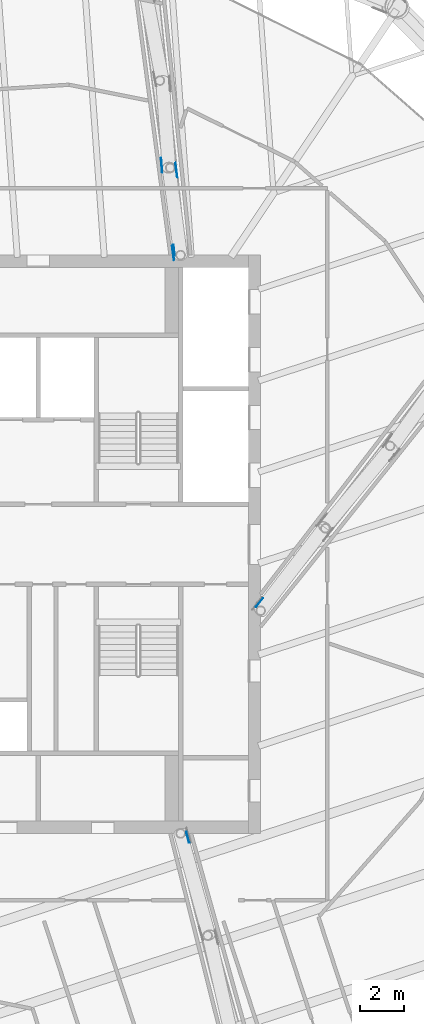
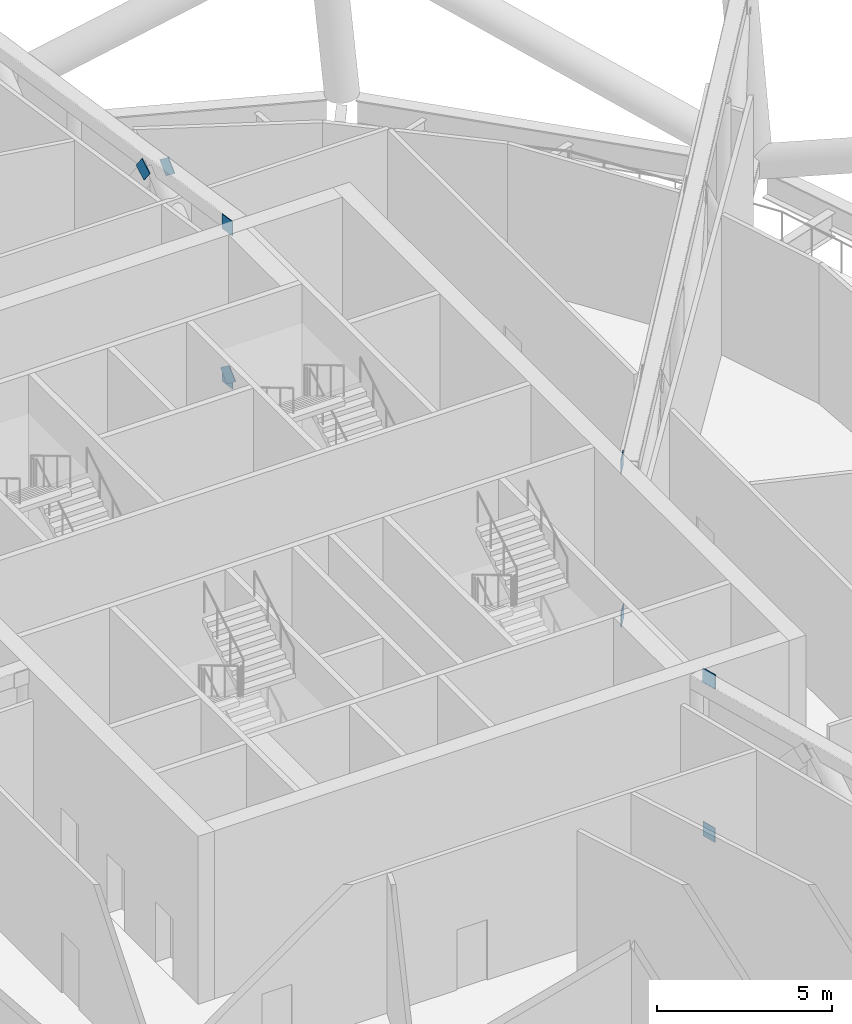
# One storey, part 20 of 33: 9 discrete accessories.
"""IFC4 building model written with IfcOpenShell, lengths in metres."""

from ifc_helpers import new_model, si_unit, direction, frame, origin, origin_2d, place, context, subcontext, project, spatial, rectangle, extrude, material, material_profile, profile_set, type_object, element, save


model = new_model("IFC4")

# Units and contexts
model_context = context("Model", 3, precision=1e-05, world=origin(), true_north=direction((0.0, 1.0)))
body_context = subcontext(model_context, "Body", "Model", "MODEL_VIEW")
ifc_project = project(units=[si_unit("LENGTHUNIT", "METRE"), si_unit("AREAUNIT", "SQUARE_METRE"), si_unit("VOLUMEUNIT", "CUBIC_METRE"), si_unit("PLANEANGLEUNIT", "RADIAN"), si_unit("MASSUNIT", "GRAM", prefix="KILO")], contexts=[model_context])

# Site, building, storey
site_placement = place(None, origin())
site = spatial("IfcSite", under=ifc_project, at=site_placement, CompositionType="ELEMENT")
building_placement = place(site_placement, origin())
building = spatial("IfcBuilding", under=site, at=building_placement, Name="Tarsis Ring Headquarters", CompositionType="ELEMENT")
storey_placement = place(building_placement, frame((0.0, 0.0, 302.0)))
storey = spatial("IfcBuildingStorey", under=building, at=storey_placement, Name="L71", CompositionType="ELEMENT", Elevation=302.0)

# Discrete accessories
ifc_material = material(Name="Structural steel S355", Category="steel")
ifc_material_profile = material_profile(ifc_material, rectangle(XDim=0.02490234375, YDim=0.5, at=origin_2d()), Name="PL 25x500")
ifc_profile_set = profile_set([ifc_material_profile], Name="Structural steel S355")
discrete_accessory_type_1 = type_object("IfcDiscreteAccessoryType", Name="Gusset plate Outrigger 25", PredefinedType="BRACKET", material=ifc_profile_set)
for number, where, z_axis, x_axis, name in (
    (1, (6.08544921875, 12.958251953125, 0.25390625), (-0.078605091897, 0.591246995573, 0.802650752042), (-0.991277872682, -0.131788387698, 0.0), "Gusset plate GP1"),
    (2, (6.191650390625, 16.9736328125, 5.5859375), (0.078613187536, -0.591796169524, -0.8022451374), (0.991292072318, 0.131681537659, 0.0), "Gusset plate GP1"),
    (3, (5.560546875, 16.907958984375, 5.5859375), (-0.04394662747, 0.58937310396, -0.806664762006), (-0.997231566527, -0.074358608937, 0.0), "Gusset plate GP1"),
):
    element("IfcDiscreteAccessory", number, at=place(storey_placement, frame(where, z_axis=z_axis, x_axis=x_axis)), inside=storey, type_object=discrete_accessory_type_1, Name=name, PredefinedType="BRACKET", context=body_context, shape_type="SweptSolid", body=[
        extrude(rectangle(XDim=0.02490234375, YDim=0.5, at=origin_2d()), origin(), (0.0, 0.0, 1.0), 0.5),
    ])
discrete_accessory_type_2 = type_object("IfcDiscreteAccessoryType", Name="Gusset plate Outrigger chord 25", PredefinedType="BRACKET", material=ifc_profile_set)
discrete_accessory_1_placement = place(storey_placement, frame((9.7919921875, -2.818359375, 0.25390625), z_axis=(0.62493317901, 0.780678244716, 0.0), x_axis=(-0.780678244716, 0.62493317901, 0.0)))
element("IfcDiscreteAccessory", 4, at=discrete_accessory_1_placement, inside=storey, type_object=discrete_accessory_type_2, Name="Gusset plate GP3", PredefinedType="BRACKET", context=body_context, shape_type="SweptSolid", body=[
    extrude(rectangle(XDim=0.02490234375, YDim=0.5, at=origin_2d()), origin(), (0.0, 0.0, 1.0), 0.5),
])
discrete_accessory_2_placement = place(storey_placement, frame((9.788818359375, -2.822265625, 5.5859375), z_axis=(0.610182466782, 0.79226091487, 0.0), x_axis=(-0.79226091487, 0.610182466782, 0.0)))
element("IfcDiscreteAccessory", 5, at=discrete_accessory_2_placement, inside=storey, type_object=discrete_accessory_type_2, Name="Gusset plate GP3", PredefinedType="BRACKET", context=body_context, shape_type="SweptSolid", body=[
    extrude(rectangle(XDim=0.02490234375, YDim=0.5, at=origin_2d()), origin(), (0.0, 0.0, 1.0), 0.500244140625),
])
for number, where, z_axis, x_axis, name in (
    (6, (6.658447265625, -12.934814453125, 0.25390625), (0.244143768274, -0.969739047586, 0.0), (0.969739047586, 0.244143768274, 0.0), "Gusset plate GP3"),
    (7, (6.65673828125, -12.9287109375, 5.5859375), (0.267618676318, -0.963524905794, 0.0), (0.963524905794, 0.267618676318, 0.0), "Gusset plate GP3"),
    (8, (6.135009765625, 12.972412109375, 0.25390625), (-0.10351551394, 0.994627839131, 0.0), (-0.994627839131, -0.10351551394, 0.0), "Gusset plate GP3"),
    (9, (6.1357421875, 12.96484375, 5.5859375), (-0.131843859112, 0.99127049629, 0.0), (-0.99127049629, -0.131843859112, 0.0), "Gusset plate GP3"),
):
    element("IfcDiscreteAccessory", number, at=place(storey_placement, frame(where, z_axis=z_axis, x_axis=x_axis)), inside=storey, type_object=discrete_accessory_type_2, Name=name, PredefinedType="BRACKET", context=body_context, shape_type="SweptSolid", body=[
        extrude(rectangle(XDim=0.02490234375, YDim=0.5, at=origin_2d()), origin(), (0.0, 0.0, 1.0), 0.5),
    ])

save(model, "model.ifc")
